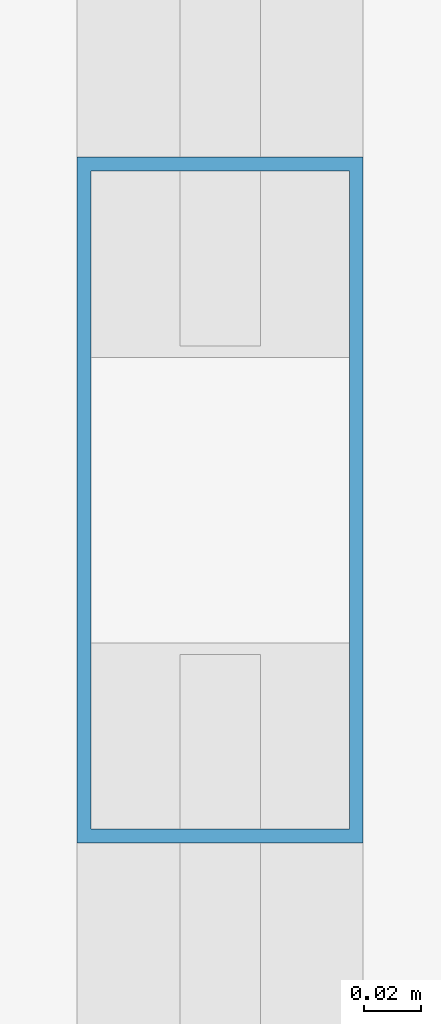
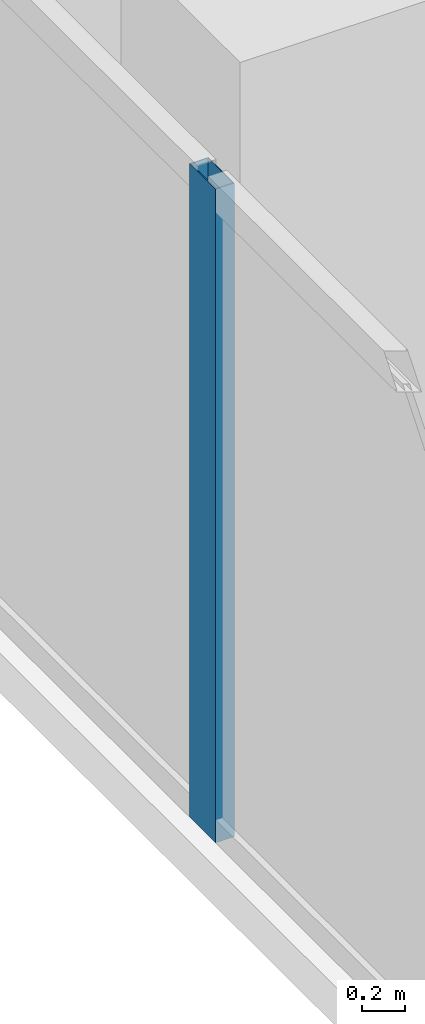
# One storey, part 8 of 29: 1 member, 1 element without a shape of its own.
"""IFC4 building model written with IfcOpenShell, lengths in metres."""

from ifc_helpers import new_model, si_unit, direction, frame, origin, origin_2d, place, context, subcontext, project, spatial, hollow_rectangle, extrude, material, layer, layer_set, material_profile, profile_set, type_object, element, aggregate, save


model = new_model("IFC4")

# Units and contexts
model_context = context("Model", 3, precision=1e-05, world=origin(), true_north=direction((0.0, 1.0)))
body_context = subcontext(model_context, "Body", "Model", "MODEL_VIEW")
ifc_project = project(units=[si_unit("LENGTHUNIT", "METRE"), si_unit("AREAUNIT", "SQUARE_METRE"), si_unit("VOLUMEUNIT", "CUBIC_METRE"), si_unit("PLANEANGLEUNIT", "RADIAN"), si_unit("MASSUNIT", "GRAM", prefix="KILO")], contexts=[model_context])

# Site, building, storey
site_placement = place(None, origin())
site = spatial("IfcSite", under=ifc_project, at=site_placement, CompositionType="ELEMENT")
building_placement = place(site_placement, origin())
building = spatial("IfcBuilding", under=site, at=building_placement, Name="Khorvyn Point Tower", CompositionType="ELEMENT")
storey_placement = place(building_placement, frame((0.0, 0.0, 140.699951171875)))
storey = spatial("IfcBuildingStorey", under=building, at=storey_placement, Name="L35", CompositionType="ELEMENT", Elevation=140.699951171875)

# Curtain wall, member
ifc_material_1 = material(Name="Anodised aluminium 6063-T6 and laminated Low-E glass", Category="aluminium")
ifc_layer = layer(ifc_material_1, 0.18994140625)
ifc_layer_set = layer_set([ifc_layer], Name="Stick-Built Acoustic Curtain Wall CW-SYS-03")
curtain_wall_type = type_object("IfcCurtainWallType", Name="Stick-Built Acoustic Curtain Wall CW-SYS-03", PredefinedType="NOTDEFINED", material=ifc_layer_set)
curtain_wall_placement = place(storey_placement, origin())
curtain_wall = element("IfcCurtainWall", 1, at=curtain_wall_placement, inside=storey, type_object=curtain_wall_type, Name="Curtain Wall", PredefinedType="NOTDEFINED")
ifc_material_2 = material(Name="Anodised aluminium 6063-T6", Category="aluminium")
ifc_material_profile = material_profile(ifc_material_2, hollow_rectangle(XDim=0.10009765625, YDim=0.239990234375, WallThickness=0.0048828125, at=origin_2d()))
ifc_profile_set = profile_set([ifc_material_profile], Name="Anodised aluminium 6063-T6 ALU-MUL-100x240")
member_type = type_object("IfcMemberType", Name="Anodised Aluminium 6063-T6 Mullion ALU-MUL-100x240", PredefinedType="MULLION", material=ifc_profile_set)
member_placement = place(storey_placement, frame((-19.75, 6.416748046875, 0.0), z_axis=(0.0, 0.0, 1.0), x_axis=(-1.0, 0.0, 0.0)))
member = element("IfcMember", 2, at=member_placement, type_object=member_type, Name="Transom", PredefinedType="MULLION", context=body_context, shape_type="SweptSolid", body=[
    extrude(hollow_rectangle(XDim=0.10009765625, YDim=0.239990234375, WallThickness=0.0048828125, at=origin_2d()), origin(), (0.0, 0.0, 1.0), 3.679931640625),
])
aggregate(curtain_wall, [member])

save(model, "model.ifc")
